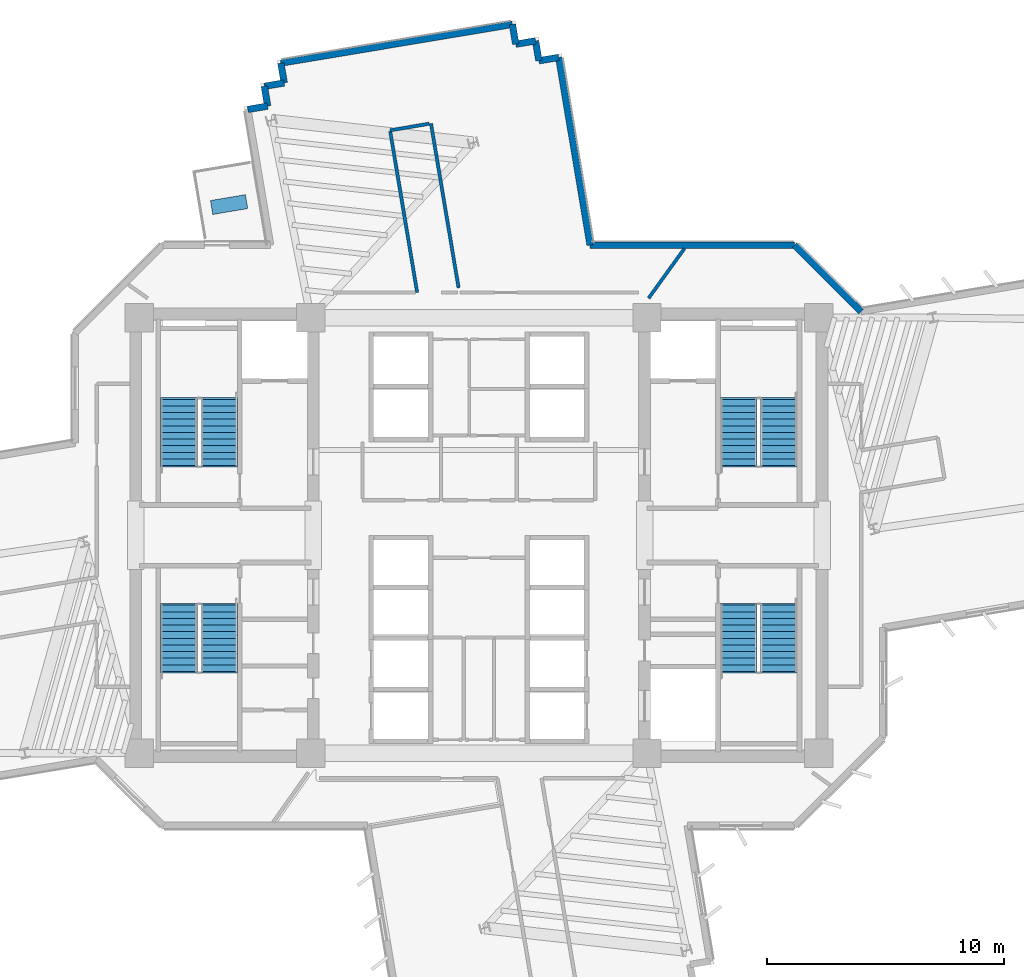
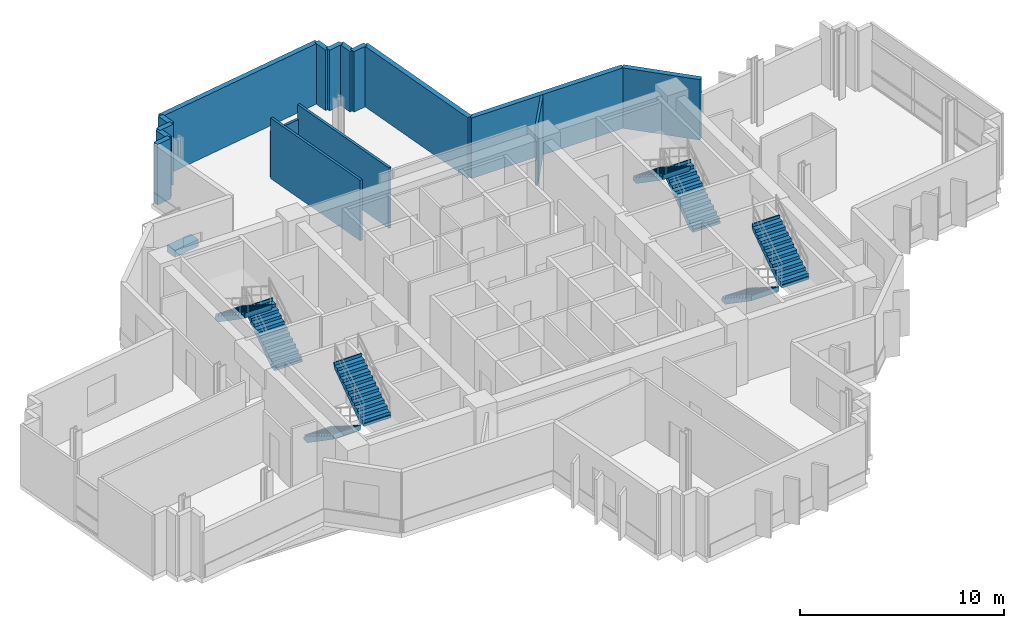
# One storey, part 11 of 15: 16 walls, 8 stair flights, 1 discrete accessory, 4 elements without a shape of their own.
"""IFC4 building model written with IfcOpenShell, lengths in metres."""

from ifc_helpers import new_model, si_unit, direction, frame, frame_2d, origin, origin_2d, place, context, subcontext, project, spatial, polyline, rectangle, outline, extrude, source, transform, mapped, material, layer, layer_set, type_object, element, aggregate, save


model = new_model("IFC4")

# Units and contexts
model_context = context("Model", 3, precision=1e-05, world=origin(), true_north=direction((0.0, 1.0)))
body_context = subcontext(model_context, "Body", "Model", "MODEL_VIEW")
ifc_project = project(units=[si_unit("LENGTHUNIT", "METRE"), si_unit("AREAUNIT", "SQUARE_METRE"), si_unit("VOLUMEUNIT", "CUBIC_METRE"), si_unit("PLANEANGLEUNIT", "RADIAN"), si_unit("MASSUNIT", "GRAM", prefix="KILO")], contexts=[model_context])

# Site, building, storey
site_placement = place(None, origin())
site = spatial("IfcSite", under=ifc_project, at=site_placement, CompositionType="ELEMENT")
building_placement = place(site_placement, origin())
building = spatial("IfcBuilding", under=site, at=building_placement, Name="Zahravan Cultural Tower", CompositionType="ELEMENT")
storey_placement = place(building_placement, frame((0.0, 0.0, 135.60009765625)))
storey = spatial("IfcBuildingStorey", under=building, at=storey_placement, Name="L30", CompositionType="ELEMENT", Elevation=135.60009765625)

# Walls
ifc_material_1 = material(Name="Precast concrete C40/50", Category="concrete")
ifc_layer_1 = layer(ifc_material_1, 0.280029296875)
ifc_layer_set_1 = layer_set([ifc_layer_1], Name="Precast concrete C40/50")
wall_type_1 = type_object("IfcWallType", Name="EW-TC-280", PredefinedType="SOLIDWALL", material=ifc_layer_set_1)
shared_shape_1 = source(origin(), body_context, "Body", "SweptSolid", [
    extrude(rectangle(XDim=0.85009765625, YDim=0.280029296875, at=frame_2d((0.425048828125, 0.0))), origin(), (0.0, 0.0, 1.0), 3.619873046875),
])
for number, where, z_axis, x_axis, name in (
    (1, (26.236083984375, 44.9951171875, 0.0), (0.0, 0.0, 1.0), (0.986269444653, 0.16514412658, 0.0), "L30 Exterior Masonry Frame Wall 41"),
    (2, (27.074462890625, 45.135498046875, 0.0), (0.0, 0.0, 1.0), (-0.16514412658, 0.986269444653, 0.0), "L30 Exterior Masonry Frame Wall 42"),
    (3, (26.93408203125, 45.973876953125, 0.0), (0.0, 0.0, 1.0), (0.986269444653, 0.16514412658, 0.0), "L30 Exterior Masonry Frame Wall 43"),
    (4, (37.416015625, 48.58984375, 0.0), (0.0, 0.0, 1.0), (0.16514412658, -0.986269444653, 0.0), "L30 Exterior Masonry Frame Wall 46"),
    (5, (37.556396484375, 47.75146484375, 0.0), (0.0, 0.0, 1.0), (0.986316186628, 0.164864732418, 0.0), "L30 Exterior Masonry Frame Wall 47"),
    (6, (38.534912109375, 47.053466796875, 0.0), (0.0, 0.0, 1.0), (0.986316186628, 0.164864732418, 0.0), "L30 Exterior Masonry Frame Wall 49"),
):
    element("IfcWall", number, at=place(storey_placement, frame(where, z_axis=z_axis, x_axis=x_axis)), inside=storey, type_object=wall_type_1, Name=name, PredefinedType="SOLIDWALL", context=body_context, shape_type="MappedRepresentation", body=[
        mapped(shared_shape_1, transform((0.0, 0.0, 0.0), x_axis=(1.0, 0.0, 0.0), y_axis=(0.0, 1.0, 0.0), z_axis=(0.0, 0.0, 1.0), scale=1.0)),
    ])
shared_shape_2 = source(origin(), body_context, "Body", "SweptSolid", [
    extrude(rectangle(XDim=0.849853515625, YDim=0.280029296875, at=frame_2d((0.4248046875, 0.0))), origin(), (0.0, 0.0, 1.0), 3.619873046875),
])
for number, where, z_axis, x_axis, name in (
    (7, (27.7724609375, 46.1142578125, 0.0), (0.0, 0.0, 1.0), (-0.165190918979, 0.986261608442, 0.0), "L30 Exterior Masonry Frame Wall 44"),
    (8, (38.394775390625, 47.8916015625, 0.0), (0.0, 0.0, 1.0), (0.164911450083, -0.986308376539, 0.0), "L30 Exterior Masonry Frame Wall 48"),
):
    element("IfcWall", number, at=place(storey_placement, frame(where, z_axis=z_axis, x_axis=x_axis)), inside=storey, type_object=wall_type_1, Name=name, PredefinedType="SOLIDWALL", context=body_context, shape_type="MappedRepresentation", body=[
        mapped(shared_shape_2, transform((0.0, 0.0, 0.0), x_axis=(1.0, 0.0, 0.0), y_axis=(0.0, 1.0, 0.0), z_axis=(0.0, 0.0, 1.0), scale=1.0)),
    ])
shared_shape_3 = source(origin(), body_context, "Body", "SweptSolid", [
    extrude(rectangle(XDim=9.919921875, YDim=0.280029296875, at=frame_2d((4.9599609375, 0.0))), origin(), (0.0, 0.0, 1.0), 3.619873046875),
])
wall_1_placement = place(storey_placement, frame((27.632080078125, 46.952392578125, 0.0), z_axis=(0.0, 0.0, 1.0), x_axis=(0.986282616944, 0.165065440096, 0.0)))
element("IfcWall", 9, at=wall_1_placement, inside=storey, type_object=wall_type_1, Name="L30 Exterior Masonry Frame Wall 45", PredefinedType="SOLIDWALL", context=body_context, shape_type="MappedRepresentation", body=[
    mapped(shared_shape_3, transform((0.0, 0.0, 0.0), x_axis=(1.0, 0.0, 0.0), y_axis=(0.0, 1.0, 0.0), z_axis=(0.0, 0.0, 1.0), scale=1.0)),
])
shared_shape_4 = source(origin(), body_context, "Body", "SweptSolid", [
    extrude(rectangle(XDim=8.64111328125, YDim=0.280029296875, at=frame_2d((4.320556640625, 0.0))), origin(), (0.0, 0.0, 1.0), 3.619873046875),
])
wall_2_placement = place(storey_placement, frame((40.700927734375, 39.260009765625, 0.0), z_axis=(0.0, 0.0, 1.0), x_axis=(1.0, 0.0, 0.0)))
element("IfcWall", 10, at=wall_2_placement, inside=storey, type_object=wall_type_1, Name="L30 Exterior Masonry Frame Wall 51", PredefinedType="SOLIDWALL", context=body_context, shape_type="MappedRepresentation", body=[
    mapped(shared_shape_4, transform((0.0, 0.0, 0.0), x_axis=(1.0, 0.0, 0.0), y_axis=(0.0, 1.0, 0.0), z_axis=(0.0, 0.0, 1.0), scale=1.0)),
])
shared_shape_5 = source(origin(), body_context, "Body", "SweptSolid", [
    extrude(rectangle(XDim=8.0439453125, YDim=0.280029296875, at=frame_2d((4.02197265625, 0.0))), origin(), (0.0, 0.0, 1.0), 3.619873046875),
])
wall_3_placement = place(storey_placement, frame((39.373291015625, 47.193603515625, 0.0), z_axis=(0.0, 0.0, 1.0), x_axis=(0.165048626668, -0.986285430712, 0.0)))
element("IfcWall", 11, at=wall_3_placement, inside=storey, type_object=wall_type_1, Name="L30 Exterior Masonry Frame Wall 50", PredefinedType="SOLIDWALL", context=body_context, shape_type="MappedRepresentation", body=[
    mapped(shared_shape_5, transform((0.0, 0.0, 0.0), x_axis=(1.0, 0.0, 0.0), y_axis=(0.0, 1.0, 0.0), z_axis=(0.0, 0.0, 1.0), scale=1.0)),
])
shared_shape_6 = source(origin(), body_context, "Body", "SweptSolid", [
    extrude(rectangle(XDim=3.96728515625, YDim=0.280029296875, at=frame_2d((1.983642578125, 0.0))), origin(), (0.0, 0.0, 1.0), 3.619873046875),
])
wall_4_placement = place(storey_placement, frame((49.342041015625, 39.260009765625, 0.0), z_axis=(0.0, 0.0, 1.0), x_axis=(0.707076011326, -0.707137549708, 0.0)))
element("IfcWall", 12, at=wall_4_placement, inside=storey, type_object=wall_type_1, Name="L30 Exterior Masonry Frame Wall 52", PredefinedType="SOLIDWALL", context=body_context, shape_type="MappedRepresentation", body=[
    mapped(shared_shape_6, transform((0.0, 0.0, 0.0), x_axis=(1.0, 0.0, 0.0), y_axis=(0.0, 1.0, 0.0), z_axis=(0.0, 0.0, 1.0), scale=1.0)),
])
ifc_material_2 = material(Name="Gypsum plasterboard partition")
ifc_layer_2 = layer(ifc_material_2, 0.139892578125)
ifc_layer_set_2 = layer_set([ifc_layer_2], Name="Gypsum plasterboard partition")
wall_type_2 = type_object("IfcWallType", Name="W-PART-140", PredefinedType="PARTITIONING", material=ifc_layer_set_2)
shared_shape_7 = source(origin(), body_context, "Body", "SweptSolid", [
    extrude(rectangle(XDim=7.041259765625, YDim=0.139892578125, at=frame_2d((3.5205078125, 0.0))), origin(), (0.0, 0.0, 1.0), 3.619873046875),
])
wall_5_placement = place(storey_placement, frame((35.1416015625, 37.45947265625, 0.0), z_axis=(0.0, 0.0, 1.0), x_axis=(-0.165703306215, 0.98617565084, 0.0)))
element("IfcWall", 13, at=wall_5_placement, inside=storey, type_object=wall_type_2, Name="L30 Interior Wall 111", PredefinedType="PARTITIONING", context=body_context, shape_type="MappedRepresentation", body=[
    mapped(shared_shape_7, transform((0.0, 0.0, 0.0), x_axis=(1.0, 0.0, 0.0), y_axis=(0.0, 1.0, 0.0), z_axis=(0.0, 0.0, 1.0), scale=1.0)),
])
shared_shape_8 = source(origin(), body_context, "Body", "SweptSolid", [
    extrude(rectangle(XDim=1.677490234375, YDim=0.139892578125, at=frame_2d((0.8388671875, 0.0))), origin(), (0.0, 0.0, 1.0), 2.761962890625),
])
wall_6_placement = place(storey_placement, frame((33.90087890625, 44.390869140625, 0.0), z_axis=(0.0, 0.0, 1.0), x_axis=(-0.986164833546, -0.165767671991, 0.0)))
element("IfcWall", 14, at=wall_6_placement, inside=storey, type_object=wall_type_2, Name="L30 Interior Wall 112", PredefinedType="PARTITIONING", context=body_context, shape_type="MappedRepresentation", body=[
    mapped(shared_shape_8, transform((0.0, 0.0, 0.0), x_axis=(1.0, 0.0, 0.0), y_axis=(0.0, 1.0, 0.0), z_axis=(0.0, 0.0, 1.0), scale=1.0)),
])
shared_shape_9 = source(origin(), body_context, "Body", "SweptSolid", [
    extrude(rectangle(XDim=6.90283203125, YDim=0.139892578125, at=frame_2d((3.451416015625, 0.0))), origin(), (0.0, 0.0, 1.0), 3.619873046875),
])
wall_7_placement = place(storey_placement, frame((32.25390625, 44.068603515625, 0.0), z_axis=(0.0, 0.0, 1.0), x_axis=(0.164708688009, -0.986342257076, 0.0)))
element("IfcWall", 15, at=wall_7_placement, inside=storey, type_object=wall_type_2, Name="L30 Interior Wall 113", PredefinedType="PARTITIONING", context=body_context, shape_type="MappedRepresentation", body=[
    mapped(shared_shape_9, transform((0.0, 0.0, 0.0), x_axis=(1.0, 0.0, 0.0), y_axis=(0.0, 1.0, 0.0), z_axis=(0.0, 0.0, 1.0), scale=1.0)),
])
shared_shape_10 = source(origin(), body_context, "Body", "SweptSolid", [
    extrude(rectangle(XDim=2.58203125, YDim=0.139892578125, at=frame_2d((1.291015625, 0.0))), origin(), (0.0, 0.0, 1.0), 3.619873046875),
])
wall_8_placement = place(storey_placement, frame((44.680419921875, 39.114990234375, 0.0), z_axis=(0.0, 0.0, 1.0), x_axis=(-0.584533864389, -0.811369312572, 0.0)))
element("IfcWall", 16, at=wall_8_placement, inside=storey, type_object=wall_type_2, Name="L30 Interior Wall 115", PredefinedType="PARTITIONING", context=body_context, shape_type="MappedRepresentation", body=[
    mapped(shared_shape_10, transform((0.0, 0.0, 0.0), x_axis=(1.0, 0.0, 0.0), y_axis=(0.0, 1.0, 0.0), z_axis=(0.0, 0.0, 1.0), scale=1.0)),
])

# Stair, stair flights
ifc_material_3 = material(Name="Concrete C45/55", Category="concrete")
stair_type = type_object("IfcStairType", Name="STR-DL-1550-390", PredefinedType="HALF_TURN_STAIR", material=ifc_material_3)
stair_1_placement = place(storey_placement, origin())
stair_1 = element("IfcStair", 17, at=stair_1_placement, inside=storey, type_object=stair_type, Name="L30 West Core North Exit Stair ST-W1", PredefinedType="HALF_TURN_STAIR")
stair_flight_type = type_object("IfcStairFlightType", Name="FLG-DL-1550-390", PredefinedType="STRAIGHT", material=ifc_material_3)
stair_flight_1_placement = place(storey_placement, frame((25.02490234375, 29.949951171875, 0.0), z_axis=(0.0, 0.0, 1.0), x_axis=(0.0, 1.0, 0.0)))
stair_flight_1 = element("IfcStairFlight", 18, at=stair_flight_1_placement, type_object=stair_flight_type, Name="ST-W1 flight 1", NumberOfRisers=11, NumberOfTreads=10, PredefinedType="STRAIGHT", RiserHeight=0.177272727, TreadLength=0.28, context=body_context, shape_type="SweptSolid", body=[
    extrude(outline(polyline([(-0.06494140625, -0.139892578125), (-0.06494140625, 0.0), (0.0, 0.0), (0.0, 0.17724609375), (0.280029296875, 0.17724609375), (0.280029296875, 0.3544921875), (0.56005859375, 0.3544921875), (0.56005859375, 0.53173828125), (0.840087890625, 0.53173828125), (0.840087890625, 0.708984375), (1.1201171875, 0.708984375), (1.1201171875, 0.886474609375), (1.39990234375, 0.886474609375), (1.39990234375, 1.063720703125), (1.679931640625, 1.063720703125), (1.679931640625, 1.240966796875), (1.9599609375, 1.240966796875), (1.9599609375, 1.418212890625), (2.239990234375, 1.418212890625), (2.239990234375, 1.595458984375), (2.52001953125, 1.595458984375), (2.52001953125, 1.772705078125), (2.800048828125, 1.772705078125), (2.800048828125, 1.949951171875), (2.864990234375, 1.949951171875), (2.864990234375, 1.800048828125), (2.800048828125, 1.59521484375), (0.2802734375, -0.139892578125), (-0.06494140625, -0.139892578125)])), frame((0.0, 0.77490234375, 0.0), z_axis=(0.0, -1.0, 0.0), x_axis=(1.0, 0.0, 0.0)), (0.0, 0.0, 1.0), 1.550048828125),
])
stair_flight_2_placement = place(storey_placement, frame((23.324951171875, 32.75, 1.949951171875), z_axis=(0.0, 0.0, 1.0), x_axis=(0.0, -1.0, 0.0)))
stair_flight_2 = element("IfcStairFlight", 19, at=stair_flight_2_placement, type_object=stair_flight_type, Name="ST-W1 flight 2", NumberOfRisers=11, NumberOfTreads=10, PredefinedType="STRAIGHT", RiserHeight=0.177272727, TreadLength=0.28, context=body_context, shape_type="SweptSolid", body=[
    extrude(outline(polyline([(-0.06494140625, -0.139892578125), (-0.06494140625, 0.0), (0.0, 0.0), (0.0, 0.17724609375), (0.280029296875, 0.17724609375), (0.280029296875, 0.3544921875), (0.56005859375, 0.3544921875), (0.56005859375, 0.53173828125), (0.840087890625, 0.53173828125), (0.840087890625, 0.708984375), (1.1201171875, 0.708984375), (1.1201171875, 0.886474609375), (1.39990234375, 0.886474609375), (1.39990234375, 1.063720703125), (1.679931640625, 1.063720703125), (1.679931640625, 1.240966796875), (1.9599609375, 1.240966796875), (1.9599609375, 1.418212890625), (2.239990234375, 1.418212890625), (2.239990234375, 1.595458984375), (2.52001953125, 1.595458984375), (2.52001953125, 1.772705078125), (2.800048828125, 1.772705078125), (2.800048828125, 1.949951171875), (2.864990234375, 1.949951171875), (2.864990234375, 1.800048828125), (2.800048828125, 1.59521484375), (0.2802734375, -0.139892578125), (-0.06494140625, -0.139892578125)])), frame((0.0, 0.77490234375, 0.0), z_axis=(0.0, -1.0, 0.0), x_axis=(1.0, 0.0, 0.0)), (0.0, 0.0, 1.0), 1.550048828125),
])
aggregate(stair_1, [stair_flight_1, stair_flight_2])

stair_2_placement = place(storey_placement, origin())
stair_2 = element("IfcStair", 20, at=stair_2_placement, inside=storey, type_object=stair_type, Name="L30 West Core South Exit Stair ST-W2", PredefinedType="HALF_TURN_STAIR")
stair_flight_3_placement = place(storey_placement, frame((23.324951171875, 24.050048828125, 0.0), z_axis=(0.0, 0.0, 1.0), x_axis=(0.0, -1.0, 0.0)))
stair_flight_3 = element("IfcStairFlight", 21, at=stair_flight_3_placement, type_object=stair_flight_type, Name="ST-W2 flight 1", NumberOfRisers=11, NumberOfTreads=10, PredefinedType="STRAIGHT", RiserHeight=0.177272727, TreadLength=0.28, context=body_context, shape_type="SweptSolid", body=[
    extrude(outline(polyline([(-0.06494140625, -0.139892578125), (-0.06494140625, 0.0), (0.0, 0.0), (0.0, 0.17724609375), (0.280029296875, 0.17724609375), (0.280029296875, 0.3544921875), (0.56005859375, 0.3544921875), (0.56005859375, 0.53173828125), (0.840087890625, 0.53173828125), (0.840087890625, 0.708984375), (1.1201171875, 0.708984375), (1.1201171875, 0.886474609375), (1.39990234375, 0.886474609375), (1.39990234375, 1.063720703125), (1.679931640625, 1.063720703125), (1.679931640625, 1.240966796875), (1.9599609375, 1.240966796875), (1.9599609375, 1.418212890625), (2.239990234375, 1.418212890625), (2.239990234375, 1.595458984375), (2.52001953125, 1.595458984375), (2.52001953125, 1.772705078125), (2.800048828125, 1.772705078125), (2.800048828125, 1.949951171875), (2.864990234375, 1.949951171875), (2.864990234375, 1.800048828125), (2.800048828125, 1.59521484375), (0.2802734375, -0.139892578125), (-0.06494140625, -0.139892578125)])), frame((0.0, 0.77490234375, 0.0), z_axis=(0.0, -1.0, 0.0), x_axis=(1.0, 0.0, 0.0)), (0.0, 0.0, 1.0), 1.550048828125),
])
stair_flight_4_placement = place(storey_placement, frame((25.02490234375, 21.25, 1.949951171875), z_axis=(0.0, 0.0, 1.0), x_axis=(0.0, 1.0, 0.0)))
stair_flight_4 = element("IfcStairFlight", 22, at=stair_flight_4_placement, type_object=stair_flight_type, Name="ST-W2 flight 2", NumberOfRisers=11, NumberOfTreads=10, PredefinedType="STRAIGHT", RiserHeight=0.177272727, TreadLength=0.28, context=body_context, shape_type="SweptSolid", body=[
    extrude(outline(polyline([(-0.06494140625, -0.139892578125), (-0.06494140625, 0.0), (0.0, 0.0), (0.0, 0.17724609375), (0.280029296875, 0.17724609375), (0.280029296875, 0.3544921875), (0.56005859375, 0.3544921875), (0.56005859375, 0.53173828125), (0.840087890625, 0.53173828125), (0.840087890625, 0.708984375), (1.1201171875, 0.708984375), (1.1201171875, 0.886474609375), (1.39990234375, 0.886474609375), (1.39990234375, 1.063720703125), (1.679931640625, 1.063720703125), (1.679931640625, 1.240966796875), (1.9599609375, 1.240966796875), (1.9599609375, 1.418212890625), (2.239990234375, 1.418212890625), (2.239990234375, 1.595458984375), (2.52001953125, 1.595458984375), (2.52001953125, 1.772705078125), (2.800048828125, 1.772705078125), (2.800048828125, 1.949951171875), (2.864990234375, 1.949951171875), (2.864990234375, 1.800048828125), (2.800048828125, 1.59521484375), (0.2802734375, -0.139892578125), (-0.06494140625, -0.139892578125)])), frame((0.0, 0.77490234375, 0.0), z_axis=(0.0, -1.0, 0.0), x_axis=(1.0, 0.0, 0.0)), (0.0, 0.0, 1.0), 1.550048828125),
])
aggregate(stair_2, [stair_flight_3, stair_flight_4])

stair_3_placement = place(storey_placement, origin())
stair_3 = element("IfcStair", 23, at=stair_3_placement, inside=storey, type_object=stair_type, Name="L30 East Core North Exit Stair ST-E1", PredefinedType="HALF_TURN_STAIR")
stair_flight_5_placement = place(storey_placement, frame((48.675048828125, 29.949951171875, 0.0), z_axis=(0.0, 0.0, 1.0), x_axis=(0.0, 1.0, 0.0)))
stair_flight_5 = element("IfcStairFlight", 24, at=stair_flight_5_placement, type_object=stair_flight_type, Name="ST-E1 flight 1", NumberOfRisers=11, NumberOfTreads=10, PredefinedType="STRAIGHT", RiserHeight=0.177272727, TreadLength=0.28, context=body_context, shape_type="SweptSolid", body=[
    extrude(outline(polyline([(-0.06494140625, -0.139892578125), (-0.06494140625, 0.0), (0.0, 0.0), (0.0, 0.17724609375), (0.280029296875, 0.17724609375), (0.280029296875, 0.3544921875), (0.56005859375, 0.3544921875), (0.56005859375, 0.53173828125), (0.840087890625, 0.53173828125), (0.840087890625, 0.708984375), (1.1201171875, 0.708984375), (1.1201171875, 0.886474609375), (1.39990234375, 0.886474609375), (1.39990234375, 1.063720703125), (1.679931640625, 1.063720703125), (1.679931640625, 1.240966796875), (1.9599609375, 1.240966796875), (1.9599609375, 1.418212890625), (2.239990234375, 1.418212890625), (2.239990234375, 1.595458984375), (2.52001953125, 1.595458984375), (2.52001953125, 1.772705078125), (2.800048828125, 1.772705078125), (2.800048828125, 1.949951171875), (2.864990234375, 1.949951171875), (2.864990234375, 1.800048828125), (2.800048828125, 1.59521484375), (0.2802734375, -0.139892578125), (-0.06494140625, -0.139892578125)])), frame((0.0, 0.77490234375, 0.0), z_axis=(0.0, -1.0, 0.0), x_axis=(1.0, 0.0, 0.0)), (0.0, 0.0, 1.0), 1.550048828125),
])
stair_flight_6_placement = place(storey_placement, frame((46.97509765625, 32.75, 1.949951171875), z_axis=(0.0, 0.0, 1.0), x_axis=(0.0, -1.0, 0.0)))
stair_flight_6 = element("IfcStairFlight", 25, at=stair_flight_6_placement, type_object=stair_flight_type, Name="ST-E1 flight 2", NumberOfRisers=11, NumberOfTreads=10, PredefinedType="STRAIGHT", RiserHeight=0.177272727, TreadLength=0.28, context=body_context, shape_type="SweptSolid", body=[
    extrude(outline(polyline([(-0.06494140625, -0.139892578125), (-0.06494140625, 0.0), (0.0, 0.0), (0.0, 0.17724609375), (0.280029296875, 0.17724609375), (0.280029296875, 0.3544921875), (0.56005859375, 0.3544921875), (0.56005859375, 0.53173828125), (0.840087890625, 0.53173828125), (0.840087890625, 0.708984375), (1.1201171875, 0.708984375), (1.1201171875, 0.886474609375), (1.39990234375, 0.886474609375), (1.39990234375, 1.063720703125), (1.679931640625, 1.063720703125), (1.679931640625, 1.240966796875), (1.9599609375, 1.240966796875), (1.9599609375, 1.418212890625), (2.239990234375, 1.418212890625), (2.239990234375, 1.595458984375), (2.52001953125, 1.595458984375), (2.52001953125, 1.772705078125), (2.800048828125, 1.772705078125), (2.800048828125, 1.949951171875), (2.864990234375, 1.949951171875), (2.864990234375, 1.800048828125), (2.800048828125, 1.59521484375), (0.2802734375, -0.139892578125), (-0.06494140625, -0.139892578125)])), frame((0.0, 0.77490234375, 0.0), z_axis=(0.0, -1.0, 0.0), x_axis=(1.0, 0.0, 0.0)), (0.0, 0.0, 1.0), 1.550048828125),
])
aggregate(stair_3, [stair_flight_5, stair_flight_6])

stair_4_placement = place(storey_placement, origin())
stair_4 = element("IfcStair", 26, at=stair_4_placement, inside=storey, type_object=stair_type, Name="L30 East Core South Exit Stair ST-E2", PredefinedType="HALF_TURN_STAIR")
stair_flight_7_placement = place(storey_placement, frame((46.97509765625, 24.050048828125, 0.0), z_axis=(0.0, 0.0, 1.0), x_axis=(0.0, -1.0, 0.0)))
stair_flight_7 = element("IfcStairFlight", 27, at=stair_flight_7_placement, type_object=stair_flight_type, Name="ST-E2 flight 1", NumberOfRisers=11, NumberOfTreads=10, PredefinedType="STRAIGHT", RiserHeight=0.177272727, TreadLength=0.28, context=body_context, shape_type="SweptSolid", body=[
    extrude(outline(polyline([(-0.06494140625, -0.139892578125), (-0.06494140625, 0.0), (0.0, 0.0), (0.0, 0.17724609375), (0.280029296875, 0.17724609375), (0.280029296875, 0.3544921875), (0.56005859375, 0.3544921875), (0.56005859375, 0.53173828125), (0.840087890625, 0.53173828125), (0.840087890625, 0.708984375), (1.1201171875, 0.708984375), (1.1201171875, 0.886474609375), (1.39990234375, 0.886474609375), (1.39990234375, 1.063720703125), (1.679931640625, 1.063720703125), (1.679931640625, 1.240966796875), (1.9599609375, 1.240966796875), (1.9599609375, 1.418212890625), (2.239990234375, 1.418212890625), (2.239990234375, 1.595458984375), (2.52001953125, 1.595458984375), (2.52001953125, 1.772705078125), (2.800048828125, 1.772705078125), (2.800048828125, 1.949951171875), (2.864990234375, 1.949951171875), (2.864990234375, 1.800048828125), (2.800048828125, 1.59521484375), (0.2802734375, -0.139892578125), (-0.06494140625, -0.139892578125)])), frame((0.0, 0.77490234375, 0.0), z_axis=(0.0, -1.0, 0.0), x_axis=(1.0, 0.0, 0.0)), (0.0, 0.0, 1.0), 1.550048828125),
])
stair_flight_8_placement = place(storey_placement, frame((48.675048828125, 21.25, 1.949951171875), z_axis=(0.0, 0.0, 1.0), x_axis=(0.0, 1.0, 0.0)))
stair_flight_8 = element("IfcStairFlight", 28, at=stair_flight_8_placement, type_object=stair_flight_type, Name="ST-E2 flight 2", NumberOfRisers=11, NumberOfTreads=10, PredefinedType="STRAIGHT", RiserHeight=0.177272727, TreadLength=0.28, context=body_context, shape_type="SweptSolid", body=[
    extrude(outline(polyline([(-0.06494140625, -0.139892578125), (-0.06494140625, 0.0), (0.0, 0.0), (0.0, 0.17724609375), (0.280029296875, 0.17724609375), (0.280029296875, 0.3544921875), (0.56005859375, 0.3544921875), (0.56005859375, 0.53173828125), (0.840087890625, 0.53173828125), (0.840087890625, 0.708984375), (1.1201171875, 0.708984375), (1.1201171875, 0.886474609375), (1.39990234375, 0.886474609375), (1.39990234375, 1.063720703125), (1.679931640625, 1.063720703125), (1.679931640625, 1.240966796875), (1.9599609375, 1.240966796875), (1.9599609375, 1.418212890625), (2.239990234375, 1.418212890625), (2.239990234375, 1.595458984375), (2.52001953125, 1.595458984375), (2.52001953125, 1.772705078125), (2.800048828125, 1.772705078125), (2.800048828125, 1.949951171875), (2.864990234375, 1.949951171875), (2.864990234375, 1.800048828125), (2.800048828125, 1.59521484375), (0.2802734375, -0.139892578125), (-0.06494140625, -0.139892578125)])), frame((0.0, 0.77490234375, 0.0), z_axis=(0.0, -1.0, 0.0), x_axis=(1.0, 0.0, 0.0)), (0.0, 0.0, 1.0), 1.550048828125),
])
aggregate(stair_4, [stair_flight_7, stair_flight_8])

# Discrete accessory
ifc_material_4 = material(Name="Planted soil and terracotta planter", Category="masonry")
discrete_accessory_type = type_object("IfcDiscreteAccessoryType", Name="ACC-PLANTER-TC", PredefinedType="USERDEFINED", material=ifc_material_4)
shared_shape_11 = source(origin(), body_context, "Body", "SweptSolid", [
    extrude(rectangle(XDim=1.5, YDim=0.60009765625, at=origin_2d()), origin(), (0.0, 0.0, 1.0), 0.419921875),
])
discrete_accessory_placement = place(storey_placement, frame((25.446044921875, 40.975830078125, 0.0), z_axis=(0.0, 0.0, 1.0), x_axis=(0.986285601537, 0.165047605861, 0.0)))
element("IfcDiscreteAccessory", 29, at=discrete_accessory_placement, inside=storey, type_object=discrete_accessory_type, Name="L30 Terracotta Sculpture Planter NW", ObjectType="PLANTER", PredefinedType="USERDEFINED", context=body_context, shape_type="MappedRepresentation", body=[
    mapped(shared_shape_11, transform((0.0, 0.0, 0.0), x_axis=(1.0, 0.0, 0.0), y_axis=(0.0, 1.0, 0.0), z_axis=(0.0, 0.0, 1.0), scale=1.0)),
])

save(model, "model.ifc")
